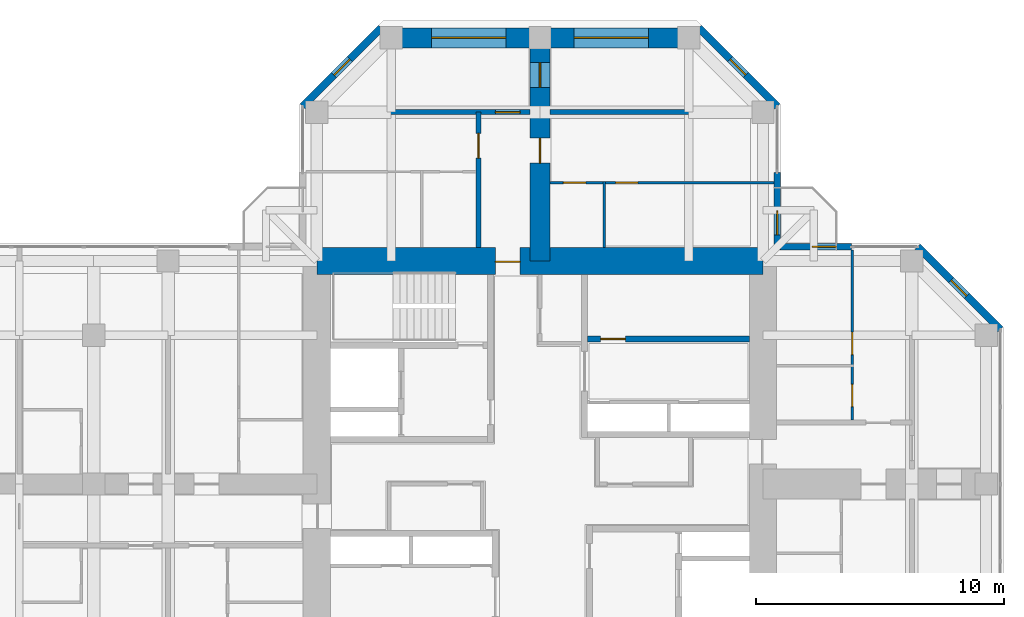
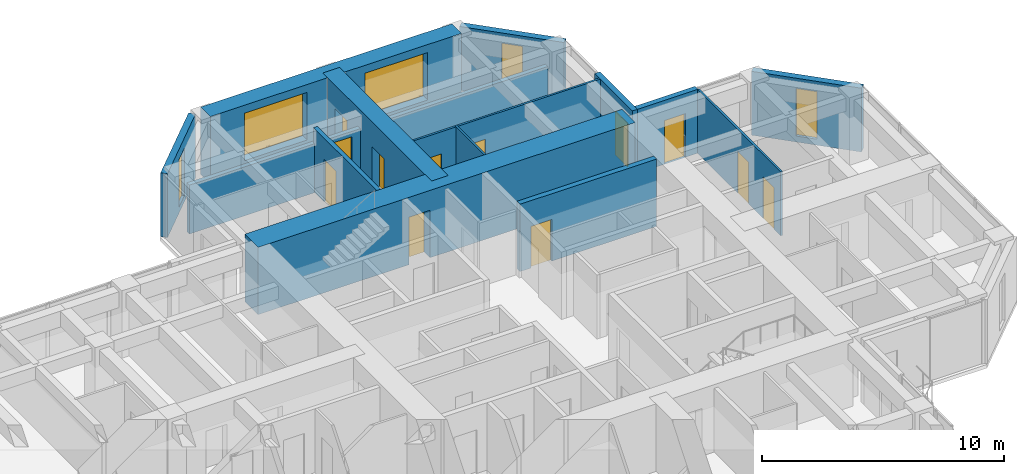
# One storey, part 12 of 14: 15 walls, 12 doors, 5 windows, 17 openings.
"""IFC4 building model written with IfcOpenShell, lengths in metres."""

from ifc_helpers import new_model, si_unit, direction, frame, frame_2d, origin, place, context, subcontext, project, spatial, rectangle, hollow_rectangle, extrude, material, layer, layer_set, constituent, constituent_set, type_object, element, fill, save


model = new_model("IFC4")

# Units and contexts
model_context = context("Model", 3, precision=1e-05, world=origin(), true_north=direction((0.0, 1.0)))
body_context = subcontext(model_context, "Body", "Model", "MODEL_VIEW")
ifc_project = project(units=[si_unit("LENGTHUNIT", "METRE"), si_unit("AREAUNIT", "SQUARE_METRE"), si_unit("VOLUMEUNIT", "CUBIC_METRE"), si_unit("PLANEANGLEUNIT", "RADIAN"), si_unit("MASSUNIT", "GRAM", prefix="KILO")], contexts=[model_context])

# Site, building, storey
site_placement = place(None, origin())
site = spatial("IfcSite", under=ifc_project, at=site_placement, CompositionType="ELEMENT")
building_placement = place(site_placement, origin())
building = spatial("IfcBuilding", under=site, at=building_placement, Name="Torre Cruceta", CompositionType="ELEMENT")
storey_placement = place(building_placement, frame((0.0, 0.0, 186.5)))
storey = spatial("IfcBuildingStorey", under=building, at=storey_placement, Name="L46", CompositionType="ELEMENT", Elevation=186.5)

# Wall
ifc_material_1 = material(Name="Water-resistant plasterboard on steel studs", Category="steel")
ifc_layer_1 = layer(ifc_material_1, 0.10009765625)
ifc_layer_set_1 = layer_set([ifc_layer_1], Name="Water-resistant plasterboard on steel studs")
wall_type_1 = type_object("IfcWallType", Name="BATHROOM WALL 100", PredefinedType="PARTITIONING", material=ifc_layer_set_1)
wall_1_placement = place(storey_placement, frame((2.60009765625, 9.550048828125, 0.0), z_axis=(0.0, 0.0, 1.0), x_axis=(0.0, 1.0, 0.0)))
element("IfcWall", 1, at=wall_1_placement, inside=storey, type_object=wall_type_1, Name="PT4 L46-N-U1RBB", PredefinedType="PARTITIONING", context=body_context, shape_type="SweptSolid", body=[
    extrude(rectangle(XDim=2.64990234375, YDim=0.10009765625, at=frame_2d((1.324951171875, 0.0))), origin(), (0.0, 0.0, 1.0), 3.219970703125),
])

# Wall, openings, doors
wall_2_placement = place(storey_placement, frame((9.445068359375, 12.14990234375, 0.0), z_axis=(0.0, 0.0, 1.0), x_axis=(-1.0, 0.0, 0.0)))
wall_2 = element("IfcWall", 2, at=wall_2_placement, inside=storey, type_object=wall_type_1, Name="PT4 L46-N-U1RBS", PredefinedType="PARTITIONING", context=body_context, shape_type="SweptSolid", body=[
    extrude(rectangle(XDim=9.045166015625, YDim=0.10009765625, at=frame_2d((4.5224609375, 0.0))), origin(), (0.0, 0.0, 1.0), 3.219970703125),
])
opening_1_placement = place(wall_2_placement, frame((5.4951171875, 0.0, 0.0)))
opening_1 = element("IfcOpeningElement", 3, at=opening_1_placement, cuts=wall_2, Name="Opening D7", PredefinedType="OPENING", context=body_context, shape_type="SweptSolid", body=[
    extrude(rectangle(XDim=0.89990234375, YDim=2.10009765625, at=frame_2d((0.449951171875, 1.050048828125))), frame((0.0, 0.06005859375, 0.0), z_axis=(0.0, -1.0, 0.0), x_axis=(1.0, 0.0, 0.0)), (0.0, 0.0, 1.0), 0.1201171875),
])
opening_2_placement = place(wall_2_placement, frame((7.594970703125, 0.0, 0.0)))
opening_2 = element("IfcOpeningElement", 4, at=opening_2_placement, cuts=wall_2, Name="Opening D7", PredefinedType="OPENING", context=body_context, shape_type="SweptSolid", body=[
    extrude(rectangle(XDim=0.89990234375, YDim=2.10009765625, at=frame_2d((0.449951171875, 1.050048828125))), frame((0.0, 0.06005859375, 0.0), z_axis=(0.0, -1.0, 0.0), x_axis=(1.0, 0.0, 0.0)), (0.0, 0.0, 1.0), 0.1201171875),
])
ifc_material_2 = material(Name="Timber door", Category="wood")
door_type_1 = type_object("IfcDoorType", Name="BATHROOM DOOR 900X2100", OperationType="SINGLE_SWING_LEFT", PredefinedType="DOOR", material=ifc_material_2)
door_1_placement = place(opening_1_placement, origin())
door_1 = element("IfcDoor", 5, at=door_1_placement, inside=storey, type_object=door_type_1, Name="D7 L46-N-U1RBS-D1", OperationType="SINGLE_SWING_RIGHT", OverallHeight=2.10009765625, OverallWidth=0.89990234375, PredefinedType="DOOR", context=body_context, shape_type="SweptSolid", body=[
    extrude(rectangle(XDim=0.89990234375, YDim=2.10009765625, at=frame_2d((0.449951171875, 1.050048828125))), frame((0.0, 0.02490234375, 0.0), z_axis=(0.0, -1.0, 0.0), x_axis=(1.0, 0.0, 0.0)), (0.0, 0.0, 1.0), 0.050048828125),
])
fill(opening_1, door_1)
door_2_placement = place(opening_2_placement, origin())
door_2 = element("IfcDoor", 6, at=door_2_placement, inside=storey, type_object=door_type_1, Name="D7 L46-N-U1RBS-D2", OperationType="SINGLE_SWING_RIGHT", OverallHeight=2.10009765625, OverallWidth=0.89990234375, PredefinedType="DOOR", context=body_context, shape_type="SweptSolid", body=[
    extrude(rectangle(XDim=0.89990234375, YDim=2.10009765625, at=frame_2d((0.449951171875, 1.050048828125))), frame((0.0, 0.02490234375, 0.0), z_axis=(0.0, -1.0, 0.0), x_axis=(1.0, 0.0, 0.0)), (0.0, 0.0, 1.0), 0.050048828125),
])
fill(opening_2, door_2)

wall_3_placement = place(storey_placement, frame((12.60009765625, 2.574951171875, 0.0), z_axis=(0.0, 0.0, 1.0), x_axis=(0.0, 1.0, 0.0)))
wall_3 = element("IfcWall", 7, at=wall_3_placement, inside=storey, type_object=wall_type_1, Name="PT4 L46-E-U1LBS", PredefinedType="PARTITIONING", context=body_context, shape_type="SweptSolid", body=[
    extrude(rectangle(XDim=6.8701171875, YDim=0.10009765625, at=frame_2d((3.43505859375, 0.0))), origin(), (0.0, 0.0, 1.0), 3.219970703125),
])
opening_3_placement = place(wall_3_placement, frame((0.550048828125, 0.0, 0.0)))
opening_3 = element("IfcOpeningElement", 8, at=opening_3_placement, cuts=wall_3, Name="Opening D7", PredefinedType="OPENING", context=body_context, shape_type="SweptSolid", body=[
    extrude(rectangle(XDim=0.89990234375, YDim=2.10009765625, at=frame_2d((0.449951171875, 1.050048828125))), frame((0.0, 0.06005859375, 0.0), z_axis=(0.0, -1.0, 0.0), x_axis=(1.0, 0.0, 0.0)), (0.0, 0.0, 1.0), 0.1201171875),
])
opening_4_placement = place(wall_3_placement, frame((2.64990234375, 0.0, 0.0)))
opening_4 = element("IfcOpeningElement", 9, at=opening_4_placement, cuts=wall_3, Name="Opening D7", PredefinedType="OPENING", context=body_context, shape_type="SweptSolid", body=[
    extrude(rectangle(XDim=0.89990234375, YDim=2.10009765625, at=frame_2d((0.449951171875, 1.050048828125))), frame((0.0, 0.06005859375, 0.0), z_axis=(0.0, -1.0, 0.0), x_axis=(1.0, 0.0, 0.0)), (0.0, 0.0, 1.0), 0.1201171875),
])
door_3_placement = place(opening_3_placement, origin())
door_3 = element("IfcDoor", 10, at=door_3_placement, inside=storey, type_object=door_type_1, Name="D7 L46-E-U1LBS-D1", OperationType="SINGLE_SWING_LEFT", OverallHeight=2.10009765625, OverallWidth=0.89990234375, PredefinedType="DOOR", context=body_context, shape_type="SweptSolid", body=[
    extrude(rectangle(XDim=0.89990234375, YDim=2.10009765625, at=frame_2d((0.449951171875, 1.050048828125))), frame((0.0, 0.02490234375, 0.0), z_axis=(0.0, -1.0, 0.0), x_axis=(1.0, 0.0, 0.0)), (0.0, 0.0, 1.0), 0.050048828125),
])
fill(opening_3, door_3)
door_4_placement = place(opening_4_placement, origin())
door_4 = element("IfcDoor", 11, at=door_4_placement, inside=storey, type_object=door_type_1, Name="D7 L46-E-U1LBS-D2", OperationType="SINGLE_SWING_LEFT", OverallHeight=2.10009765625, OverallWidth=0.89990234375, PredefinedType="DOOR", context=body_context, shape_type="SweptSolid", body=[
    extrude(rectangle(XDim=0.89990234375, YDim=2.10009765625, at=frame_2d((0.449951171875, 1.050048828125))), frame((0.0, 0.02490234375, 0.0), z_axis=(0.0, -1.0, 0.0), x_axis=(1.0, 0.0, 0.0)), (0.0, 0.0, 1.0), 0.050048828125),
])
fill(opening_4, door_4)

# Wall, opening, door
ifc_material_3 = material(Name="Concrete G60 (fck 60 MPa)", Category="concrete")
ifc_layer_2 = layer(ifc_material_3, 0.25)
ifc_layer_set_2 = layer_set([ifc_layer_2], Name="Concrete G60 (fck 60 MPa)")
wall_type_2 = type_object("IfcWallType", Name="CORE INNER WALL 250 G60", PredefinedType="SHEAR", material=ifc_layer_set_2)
wall_4_placement = place(storey_placement, frame((1.925048828125, 5.85009765625, 0.0), z_axis=(0.0, 0.0, 1.0), x_axis=(1.0, 0.0, 0.0)))
wall_4 = element("IfcWall", 12, at=wall_4_placement, inside=storey, type_object=wall_type_2, Name="CW4 L46 NE-LV", PredefinedType="SHEAR", context=body_context, shape_type="SweptSolid", body=[
    extrude(rectangle(XDim=6.52490234375, YDim=0.25, at=frame_2d((3.262451171875, 0.0))), origin(), (0.0, 0.0, 1.0), 3.39990234375),
])
opening_5_placement = place(wall_4_placement, frame((0.520751953125, 0.0, 0.0)))
opening_5 = element("IfcOpeningElement", 13, at=opening_5_placement, cuts=wall_4, Name="Opening D3", PredefinedType="OPENING", context=body_context, shape_type="SweptSolid", body=[
    extrude(rectangle(XDim=1.0, YDim=2.10009765625, at=frame_2d((0.5, 1.050048828125))), frame((0.0, 0.135009765625, 0.0), z_axis=(0.0, -1.0, 0.0), x_axis=(1.0, 0.0, 0.0)), (0.0, 0.0, 1.0), 0.27001953125),
])
ifc_material_4 = material(Name="Steel DX51D", Category="steel")
ifc_constituent_1 = constituent(ifc_material_4, Name="Leaf and frame")
ifc_material_5 = material(Name="Polyester powder coating", Category="paint")
ifc_constituent_2 = constituent(ifc_material_5, Name="Finish")
ifc_constituent_set_1 = constituent_set(constituents=[ifc_constituent_1, ifc_constituent_2], Name="Steel fire door")
door_type_2 = type_object("IfcDoorType", Name="FIRE DOOR 1000X2100", OperationType="SINGLE_SWING_LEFT", PredefinedType="DOOR", material=ifc_constituent_set_1)
door_5_placement = place(opening_5_placement, origin())
door_5 = element("IfcDoor", 14, at=door_5_placement, inside=storey, type_object=door_type_2, Name="D3 L46 NE-HR1", OperationType="SINGLE_SWING_LEFT", OverallHeight=2.10009765625, OverallWidth=1.0, PredefinedType="DOOR", context=body_context, shape_type="SweptSolid", body=[
    extrude(rectangle(XDim=1.0, YDim=2.10009765625, at=frame_2d((0.5, 1.050048828125))), frame((0.0, 0.02490234375, 0.0), z_axis=(0.0, -1.0, 0.0), x_axis=(1.0, 0.0, 0.0)), (0.0, 0.0, 1.0), 0.050048828125),
])
fill(opening_5, door_5)

ifc_material_6 = material(Name="Concrete G60 (fck 60 MPa)", Category="concrete")
ifc_layer_3 = layer(ifc_material_6, 1.10009765625)
ifc_layer_set_3 = layer_set([ifc_layer_3], Name="Concrete G60 (fck 60 MPa)")
wall_type_3 = type_object("IfcWallType", Name="CORE WALL 1100 G60", PredefinedType="SHEAR", material=ifc_layer_set_3)
wall_5_placement = place(storey_placement, frame((9.0, 9.0, 0.0), z_axis=(0.0, 0.0, 1.0), x_axis=(-1.0, 0.0, 0.0)))
wall_5 = element("IfcWall", 15, at=wall_5_placement, inside=storey, type_object=wall_type_3, Name="CW2 L46 CW-N", PredefinedType="SHEAR", context=body_context, shape_type="SweptSolid", body=[
    extrude(rectangle(XDim=18.0, YDim=1.10009765625, at=frame_2d((9.0, 0.0))), origin(), (0.0, 0.0, 1.0), 3.39990234375),
])
opening_6_placement = place(wall_5_placement, frame((9.800048828125, 0.0, 0.0)))
opening_6 = element("IfcOpeningElement", 16, at=opening_6_placement, cuts=wall_5, Name="Opening D4", PredefinedType="OPENING", context=body_context, shape_type="SweptSolid", body=[
    extrude(rectangle(XDim=1.0, YDim=2.39990234375, at=frame_2d((0.5, 1.199951171875))), frame((0.0, 0.56005859375, 0.0), z_axis=(0.0, -1.0, 0.0), x_axis=(1.0, 0.0, 0.0)), (0.0, 0.0, 1.0), 1.1201171875),
])
ifc_material_7 = material(Name="Steel DX51D", Category="steel")
ifc_constituent_3 = constituent(ifc_material_7, Name="Leaf and frame")
ifc_material_8 = material(Name="Polyester powder coating", Category="paint")
ifc_constituent_4 = constituent(ifc_material_8, Name="Finish")
ifc_constituent_set_2 = constituent_set(constituents=[ifc_constituent_3, ifc_constituent_4], Name="Steel fire door")
door_type_3 = type_object("IfcDoorType", Name="CORE ARM DOOR 1000X2400", OperationType="SINGLE_SWING_RIGHT", PredefinedType="DOOR", material=ifc_constituent_set_2)
door_6_placement = place(opening_6_placement, origin())
door_6 = element("IfcDoor", 17, at=door_6_placement, inside=storey, type_object=door_type_3, Name="D4 L46 CW-N", OperationType="SINGLE_SWING_RIGHT", OverallHeight=2.39990234375, OverallWidth=1.0, PredefinedType="DOOR", context=body_context, shape_type="SweptSolid", body=[
    extrude(rectangle(XDim=1.0, YDim=2.39990234375, at=frame_2d((0.5, 1.199951171875))), frame((0.0, 0.05517578125, 0.0), z_axis=(0.0, -1.0, 0.0), x_axis=(1.0, 0.0, 0.0)), (0.0, 0.0, 1.0), 0.050048828125),
])
fill(opening_6, door_6)

ifc_material_9 = material(Name="Concrete G25 (fck 25 MPa)", Category="concrete")
ifc_layer_4 = layer(ifc_material_9, 0.199951171875)
ifc_layer_set_4 = layer_set([ifc_layer_4], Name="Concrete G25 (fck 25 MPa)")
wall_type_4 = type_object("IfcWallType", Name="CORRIDOR WALL 200", PredefinedType="SOLIDWALL", material=ifc_layer_set_4)
wall_6_placement = place(storey_placement, frame((-2.47509765625, 9.550048828125, 0.0), z_axis=(0.0, 0.0, 1.0), x_axis=(0.0, 1.0, 0.0)))
wall_6 = element("IfcWall", 18, at=wall_6_placement, inside=storey, type_object=wall_type_4, Name="PT3 L46-N-CL", PredefinedType="SOLIDWALL", context=body_context, shape_type="SweptSolid", body=[
    extrude(rectangle(XDim=5.449951171875, YDim=0.199951171875, at=frame_2d((2.72509765625, 0.0))), origin(), (0.0, 0.0, 1.0), 3.219970703125),
])
opening_7_placement = place(wall_6_placement, frame((3.60009765625, 0.0, 0.0)))
opening_7 = element("IfcOpeningElement", 19, at=opening_7_placement, cuts=wall_6, Name="Opening D6", PredefinedType="OPENING", context=body_context, shape_type="SweptSolid", body=[
    extrude(rectangle(XDim=1.0, YDim=2.14990234375, at=frame_2d((0.5, 1.074951171875))), frame((0.0, 0.10986328125, 0.0), z_axis=(0.0, -1.0, 0.0), x_axis=(1.0, 0.0, 0.0)), (0.0, 0.0, 1.0), 0.219970703125),
])
ifc_material_10 = material(Name="Timber fire door", Category="wood")
door_type_4 = type_object("IfcDoorType", Name="UNIT ENTRANCE DOOR 1000X2150", OperationType="SINGLE_SWING_LEFT", PredefinedType="DOOR", material=ifc_material_10)
door_7_placement = place(opening_7_placement, origin())
door_7 = element("IfcDoor", 20, at=door_7_placement, inside=storey, type_object=door_type_4, Name="D6 L46-N-CL-D1", OperationType="SINGLE_SWING_LEFT", OverallHeight=2.14990234375, OverallWidth=1.0, PredefinedType="DOOR", context=body_context, shape_type="SweptSolid", body=[
    extrude(rectangle(XDim=1.0, YDim=2.14990234375, at=frame_2d((0.5, 1.074951171875))), frame((0.0, 0.02490234375, 0.0), z_axis=(0.0, -1.0, 0.0), x_axis=(1.0, 0.0, 0.0)), (0.0, 0.0, 1.0), 0.050048828125),
])
fill(opening_7, door_7)

# Wall, opening, window
ifc_material_11 = material(Name="Concrete G30 (fck 30 MPa)", Category="concrete")
ifc_layer_5 = layer(ifc_material_11, 0.300048828125)
ifc_layer_set_5 = layer_set([ifc_layer_5], Name="Concrete G30 (fck 30 MPa)")
wall_type_5 = type_object("IfcWallType", Name="EXPOSED CONCRETE FACADE WALL 300", PredefinedType="SOLIDWALL", material=ifc_layer_set_5)
wall_7_placement = place(storey_placement, frame((18.570068359375, 6.236083984375, 0.0), z_axis=(0.0, 0.0, 1.0), x_axis=(-0.707106781187, 0.707106781187, 0.0)))
wall_7 = element("IfcWall", 21, at=wall_7_placement, inside=storey, type_object=wall_type_5, Name="EW1 facade wall L46 E chamfer 03", PredefinedType="SOLIDWALL", context=body_context, shape_type="SweptSolid", body=[
    extrude(rectangle(XDim=4.715087890625, YDim=0.300048828125, at=frame_2d((2.357421875, 0.0))), origin(), (0.0, 0.0, 1.0), 3.219970703125),
])
opening_8_placement = place(wall_7_placement, frame((1.907470703125, 0.0, 0.300048828125)))
opening_8 = element("IfcOpeningElement", 22, at=opening_8_placement, cuts=wall_7, Name="Opening WN5", PredefinedType="OPENING", context=body_context, shape_type="SweptSolid", body=[
    extrude(rectangle(XDim=0.89990234375, YDim=2.39990234375, at=frame_2d((0.449951171875, 1.199951171875))), frame((0.0, 0.159912109375, 0.0), z_axis=(0.0, -1.0, 0.0), x_axis=(1.0, 0.0, 0.0)), (0.0, 0.0, 1.0), 0.320068359375),
])
ifc_material_12 = material(Name="Aluminium window frame", Category="aluminium")
ifc_constituent_5 = constituent(ifc_material_12, Name="Frame")
ifc_material_13 = material(Name="Laminated insulating glass unit, low-iron clear", Category="glass")
ifc_constituent_6 = constituent(ifc_material_13, Name="Glazing")
ifc_constituent_set_3 = constituent_set(constituents=[ifc_constituent_5, ifc_constituent_6], Name="Aluminium window")
window_type_1 = type_object("IfcWindowType", Name="CHAMFER SLOT WINDOW 900X2400", PartitioningType="SINGLE_PANEL", PredefinedType="WINDOW", material=ifc_constituent_set_3)
window_1_placement = place(opening_8_placement, origin())
window_1 = element("IfcWindow", 23, at=window_1_placement, inside=storey, type_object=window_type_1, Name="WN5 L46 E 1", OverallHeight=2.39990234375, OverallWidth=0.89990234375, PartitioningType="SINGLE_PANEL", PredefinedType="WINDOW", context=body_context, shape_type="SweptSolid", body=[
    extrude(hollow_rectangle(XDim=0.89990234375, YDim=2.39990234375, WallThickness=0.06005859375, at=frame_2d((0.449951171875, 1.199951171875))), frame((0.0, 0.030029296875, 0.0), z_axis=(0.0, -1.0, 0.0), x_axis=(1.0, 0.0, 0.0)), (0.0, 0.0, 1.0), 0.06005859375),
    extrude(rectangle(XDim=0.77880859375, YDim=2.27880859375, at=frame_2d((0.449951171875, 1.199951171875))), frame((0.0, 0.030029296875, 0.0), z_axis=(0.0, -1.0, 0.0), x_axis=(1.0, 0.0, 0.0)), (0.0, 0.0, 1.0), 0.06005859375),
])
fill(opening_8, window_1)

wall_8_placement = place(storey_placement, frame((9.570068359375, 15.236083984375, 0.0), z_axis=(0.0, 0.0, 1.0), x_axis=(-0.707134062067, 0.707079499254, 0.0)))
wall_8 = element("IfcWall", 24, at=wall_8_placement, inside=storey, type_object=wall_type_5, Name="EW1 facade wall L46 N chamfer 06", PredefinedType="SOLIDWALL", context=body_context, shape_type="SweptSolid", body=[
    extrude(rectangle(XDim=4.474609375, YDim=0.300048828125, at=frame_2d((2.2373046875, 0.0))), origin(), (0.0, 0.0, 1.0), 3.219970703125),
])
opening_9_placement = place(wall_8_placement, frame((1.787109375, 0.0, 0.300048828125)))
opening_9 = element("IfcOpeningElement", 25, at=opening_9_placement, cuts=wall_8, Name="Opening WN5", PredefinedType="OPENING", context=body_context, shape_type="SweptSolid", body=[
    extrude(rectangle(XDim=0.89990234375, YDim=2.39990234375, at=frame_2d((0.449951171875, 1.199951171875))), frame((0.0, 0.159912109375, 0.0), z_axis=(0.0, -1.0, 0.0), x_axis=(1.0, 0.0, 0.0)), (0.0, 0.0, 1.0), 0.320068359375),
])
window_2_placement = place(opening_9_placement, origin())
window_2 = element("IfcWindow", 26, at=window_2_placement, inside=storey, type_object=window_type_1, Name="WN5 L46 N 1", OverallHeight=2.39990234375, OverallWidth=0.89990234375, PartitioningType="SINGLE_PANEL", PredefinedType="WINDOW", context=body_context, shape_type="SweptSolid", body=[
    extrude(hollow_rectangle(XDim=0.89990234375, YDim=2.39990234375, WallThickness=0.06005859375, at=frame_2d((0.449951171875, 1.199951171875))), frame((0.0, 0.030029296875, 0.0), z_axis=(0.0, -1.0, 0.0), x_axis=(1.0, 0.0, 0.0)), (0.0, 0.0, 1.0), 0.06005859375),
    extrude(rectangle(XDim=0.77880859375, YDim=2.27880859375, at=frame_2d((0.449951171875, 1.199951171875))), frame((0.0, 0.030029296875, 0.0), z_axis=(0.0, -1.0, 0.0), x_axis=(1.0, 0.0, 0.0)), (0.0, 0.0, 1.0), 0.06005859375),
])
fill(opening_9, window_2)

wall_9_placement = place(storey_placement, frame((-6.406005859375, 18.39990234375, 0.0), z_axis=(0.0, 0.0, 1.0), x_axis=(-0.707134062067, -0.707079499254, 0.0)))
wall_9 = element("IfcWall", 27, at=wall_9_placement, inside=storey, type_object=wall_type_5, Name="EW1 facade wall L46 N chamfer 08", PredefinedType="SOLIDWALL", context=body_context, shape_type="SweptSolid", body=[
    extrude(rectangle(XDim=4.474609375, YDim=0.300048828125, at=frame_2d((2.2373046875, 0.0))), origin(), (0.0, 0.0, 1.0), 3.219970703125),
])
opening_10_placement = place(wall_9_placement, frame((1.787109375, 0.0, 0.300048828125)))
opening_10 = element("IfcOpeningElement", 28, at=opening_10_placement, cuts=wall_9, Name="Opening WN5", PredefinedType="OPENING", context=body_context, shape_type="SweptSolid", body=[
    extrude(rectangle(XDim=0.89990234375, YDim=2.39990234375, at=frame_2d((0.449951171875, 1.199951171875))), frame((0.0, 0.159912109375, 0.0), z_axis=(0.0, -1.0, 0.0), x_axis=(1.0, 0.0, 0.0)), (0.0, 0.0, 1.0), 0.320068359375),
])
window_3_placement = place(opening_10_placement, origin())
window_3 = element("IfcWindow", 29, at=window_3_placement, inside=storey, type_object=window_type_1, Name="WN5 L46 N 1", OverallHeight=2.39990234375, OverallWidth=0.89990234375, PartitioningType="SINGLE_PANEL", PredefinedType="WINDOW", context=body_context, shape_type="SweptSolid", body=[
    extrude(hollow_rectangle(XDim=0.89990234375, YDim=2.39990234375, WallThickness=0.06005859375, at=frame_2d((0.449951171875, 1.199951171875))), frame((0.0, 0.030029296875, 0.0), z_axis=(0.0, -1.0, 0.0), x_axis=(1.0, 0.0, 0.0)), (0.0, 0.0, 1.0), 0.06005859375),
    extrude(rectangle(XDim=0.77880859375, YDim=2.27880859375, at=frame_2d((0.449951171875, 1.199951171875))), frame((0.0, 0.030029296875, 0.0), z_axis=(0.0, -1.0, 0.0), x_axis=(1.0, 0.0, 0.0)), (0.0, 0.0, 1.0), 0.06005859375),
])
fill(opening_10, window_3)

# Wall, openings, windows
ifc_material_14 = material(Name="Concrete G60 (fck 60 MPa)", Category="concrete")
ifc_layer_6 = layer(ifc_material_14, 0.800048828125)
ifc_layer_set_6 = layer_set([ifc_layer_6], Name="Concrete G60 (fck 60 MPa)")
wall_type_6 = type_object("IfcWallType", Name="NOSE WALL 800 G60", PredefinedType="SHEAR", material=ifc_layer_set_6)
wall_10_placement = place(storey_placement, frame((6.0, 18.0, 0.0), z_axis=(0.0, 0.0, 1.0), x_axis=(-1.0, 0.0, 0.0)))
wall_10 = element("IfcWall", 30, at=wall_10_placement, inside=storey, type_object=wall_type_6, Name="NW2 nose wall L46 N", PredefinedType="SHEAR", context=body_context, shape_type="SweptSolid", body=[
    extrude(rectangle(XDim=12.0, YDim=0.800048828125, at=frame_2d((6.0, 0.0))), origin(), (0.0, 0.0, 1.0), 3.39990234375),
])
opening_11_placement = place(wall_10_placement, frame((1.625, 0.0, 0.60009765625)))
opening_11 = element("IfcOpeningElement", 31, at=opening_11_placement, cuts=wall_10, Name="Opening WN6", PredefinedType="OPENING", context=body_context, shape_type="SweptSolid", body=[
    extrude(rectangle(XDim=3.0, YDim=2.39990234375, at=frame_2d((1.5, 1.199951171875))), frame((0.0, 0.409912109375, 0.0), z_axis=(0.0, -1.0, 0.0), x_axis=(1.0, 0.0, 0.0)), (0.0, 0.0, 1.0), 0.820068359375),
])
opening_12_placement = place(wall_10_placement, frame((7.375, 0.0, 0.60009765625)))
opening_12 = element("IfcOpeningElement", 32, at=opening_12_placement, cuts=wall_10, Name="Opening WN6", PredefinedType="OPENING", context=body_context, shape_type="SweptSolid", body=[
    extrude(rectangle(XDim=3.0, YDim=2.39990234375, at=frame_2d((1.5, 1.199951171875))), frame((0.0, 0.409912109375, 0.0), z_axis=(0.0, -1.0, 0.0), x_axis=(1.0, 0.0, 0.0)), (0.0, 0.0, 1.0), 0.820068359375),
])
ifc_material_15 = material(Name="Aluminium window frame", Category="aluminium")
ifc_constituent_7 = constituent(ifc_material_15, Name="Frame")
ifc_material_16 = material(Name="Laminated insulating glass unit, low-iron clear", Category="glass")
ifc_constituent_8 = constituent(ifc_material_16, Name="Glazing")
ifc_constituent_set_4 = constituent_set(constituents=[ifc_constituent_7, ifc_constituent_8], Name="Aluminium window")
window_type_2 = type_object("IfcWindowType", Name="NOSE WALL WINDOW 3000X2400", PartitioningType="SINGLE_PANEL", PredefinedType="WINDOW", material=ifc_constituent_set_4)
window_4_placement = place(opening_11_placement, origin())
window_4 = element("IfcWindow", 33, at=window_4_placement, inside=storey, type_object=window_type_2, Name="WN6 L46 N 1", OverallHeight=2.39990234375, OverallWidth=3.0, PartitioningType="SINGLE_PANEL", PredefinedType="WINDOW", context=body_context, shape_type="SweptSolid", body=[
    extrude(hollow_rectangle(XDim=3.0, YDim=2.39990234375, WallThickness=0.06005859375, at=frame_2d((1.5, 1.199951171875))), frame((0.0, 0.030029296875, 0.0), z_axis=(0.0, -1.0, 0.0), x_axis=(1.0, 0.0, 0.0)), (0.0, 0.0, 1.0), 0.06005859375),
    extrude(rectangle(XDim=2.87890625, YDim=2.27880859375, at=frame_2d((1.5, 1.199951171875))), frame((0.0, 0.030029296875, 0.0), z_axis=(0.0, -1.0, 0.0), x_axis=(1.0, 0.0, 0.0)), (0.0, 0.0, 1.0), 0.06005859375),
])
fill(opening_11, window_4)
window_5_placement = place(opening_12_placement, origin())
window_5 = element("IfcWindow", 34, at=window_5_placement, inside=storey, type_object=window_type_2, Name="WN6 L46 N 2", OverallHeight=2.39990234375, OverallWidth=3.0, PartitioningType="SINGLE_PANEL", PredefinedType="WINDOW", context=body_context, shape_type="SweptSolid", body=[
    extrude(hollow_rectangle(XDim=3.0, YDim=2.39990234375, WallThickness=0.06005859375, at=frame_2d((1.5, 1.199951171875))), frame((0.0, 0.030029296875, 0.0), z_axis=(0.0, -1.0, 0.0), x_axis=(1.0, 0.0, 0.0)), (0.0, 0.0, 1.0), 0.06005859375),
    extrude(rectangle(XDim=2.87890625, YDim=2.27880859375, at=frame_2d((1.5, 1.199951171875))), frame((0.0, 0.030029296875, 0.0), z_axis=(0.0, -1.0, 0.0), x_axis=(1.0, 0.0, 0.0)), (0.0, 0.0, 1.0), 0.06005859375),
])
fill(opening_12, window_5)

# Wall, openings, doors
ifc_material_17 = material(Name="Concrete G60 (fck 60 MPa)", Category="concrete")
ifc_layer_7 = layer(ifc_material_17, 0.800048828125)
ifc_layer_set_7 = layer_set([ifc_layer_7], Name="Concrete G60 (fck 60 MPa)")
wall_type_7 = type_object("IfcWallType", Name="SPINE WALL 800 G60", PredefinedType="SHEAR", material=ifc_layer_set_7)
wall_11_placement = place(storey_placement, frame((0.0, 9.0, 0.0), z_axis=(0.0, 0.0, 1.0), x_axis=(0.0, 1.0, 0.0)))
wall_11 = element("IfcWall", 35, at=wall_11_placement, inside=storey, type_object=wall_type_7, Name="SW4 spine wall L46 N", PredefinedType="SHEAR", context=body_context, shape_type="SweptSolid", body=[
    extrude(rectangle(XDim=9.0, YDim=0.800048828125, at=frame_2d((4.5, 0.0))), origin(), (0.0, 0.0, 1.0), 3.39990234375),
])
opening_13_placement = place(wall_11_placement, frame((3.949951171875, 0.0, 0.0)))
opening_13 = element("IfcOpeningElement", 36, at=opening_13_placement, cuts=wall_11, Name="Opening D6", PredefinedType="OPENING", context=body_context, shape_type="SweptSolid", body=[
    extrude(rectangle(XDim=1.0, YDim=2.14990234375, at=frame_2d((0.5, 1.074951171875))), frame((0.0, 0.409912109375, 0.0), z_axis=(0.0, -1.0, 0.0), x_axis=(1.0, 0.0, 0.0)), (0.0, 0.0, 1.0), 0.820068359375),
])
opening_14_placement = place(wall_11_placement, frame((7.0, 0.0, 0.0)))
opening_14 = element("IfcOpeningElement", 37, at=opening_14_placement, cuts=wall_11, Name="Opening D14", PredefinedType="OPENING", context=body_context, shape_type="SweptSolid", body=[
    extrude(rectangle(XDim=1.0, YDim=2.199951171875, at=frame_2d((0.5, 1.10009765625))), frame((0.0, 0.409912109375, 0.0), z_axis=(0.0, -1.0, 0.0), x_axis=(1.0, 0.0, 0.0)), (0.0, 0.0, 1.0), 0.820068359375),
])
ifc_material_18 = material(Name="Steel DX51D", Category="steel")
ifc_constituent_9 = constituent(ifc_material_18, Name="Leaf and frame")
ifc_material_19 = material(Name="Polyester powder coating", Category="paint")
ifc_constituent_10 = constituent(ifc_material_19, Name="Finish")
ifc_material_20 = material(Name="Fire-resisting glass", Category="glass")
ifc_constituent_11 = constituent(ifc_material_20, Name="Vision panel")
ifc_constituent_set_5 = constituent_set(constituents=[ifc_constituent_9, ifc_constituent_10, ifc_constituent_11], Name="Steel fire door with vision panel")
door_type_5 = type_object("IfcDoorType", Name="FIRE DOOR VISION PANEL 1000X2200", OperationType="SINGLE_SWING_RIGHT", PredefinedType="DOOR", material=ifc_constituent_set_5)
door_8_placement = place(opening_14_placement, origin())
door_8 = element("IfcDoor", 38, at=door_8_placement, inside=storey, type_object=door_type_5, Name="D14 L46-N-SP2", OperationType="SINGLE_SWING_RIGHT", OverallHeight=2.199951171875, OverallWidth=1.0, PredefinedType="DOOR", context=body_context, shape_type="SweptSolid", body=[
    extrude(rectangle(XDim=1.0, YDim=2.199951171875, at=frame_2d((0.5, 1.10009765625))), frame((0.0, 0.02490234375, 0.0), z_axis=(0.0, -1.0, 0.0), x_axis=(1.0, 0.0, 0.0)), (0.0, 0.0, 1.0), 0.050048828125),
])
fill(opening_14, door_8)
door_9_placement = place(opening_13_placement, frame((1.0, 0.0, 0.0), z_axis=(0.0, 0.0, 1.0), x_axis=(-1.0, 0.0, 0.0)))
door_9 = element("IfcDoor", 39, at=door_9_placement, inside=storey, type_object=door_type_4, Name="D6 L46-N-SP1", OperationType="SINGLE_SWING_RIGHT", OverallHeight=2.14990234375, OverallWidth=1.0, PredefinedType="DOOR", context=body_context, shape_type="SweptSolid", body=[
    extrude(rectangle(XDim=1.0, YDim=2.14990234375, at=frame_2d((0.5, 1.074951171875))), frame((0.0, 0.025146484375, 0.0), z_axis=(0.0, -1.0, 0.0), x_axis=(1.0, 0.0, 0.0)), (0.0, 0.0, 1.0), 0.050048828125),
])
fill(opening_13, door_9)

# Wall
ifc_material_21 = material(Name="Concrete G25 (fck 25 MPa)", Category="concrete")
ifc_layer_8 = layer(ifc_material_21, 0.199951171875)
ifc_layer_set_8 = layer_set([ifc_layer_8], Name="Concrete G25 (fck 25 MPa)")
wall_type_8 = type_object("IfcWallType", Name="UNIT SEPARATING WALL 200", PredefinedType="SOLIDWALL", material=ifc_layer_set_8)
wall_12_placement = place(storey_placement, frame((8.550048828125, 15.0, 0.0), z_axis=(0.0, 0.0, 1.0), x_axis=(-1.0, 0.0, 0.0)))
element("IfcWall", 40, at=wall_12_placement, inside=storey, type_object=wall_type_8, Name="PT2 L46-N-ENDa", PredefinedType="SOLIDWALL", context=body_context, shape_type="SweptSolid", body=[
    extrude(rectangle(XDim=8.150146484375, YDim=0.199951171875, at=frame_2d((4.0751953125, 0.0))), origin(), (0.0, 0.0, 1.0), 2.469970703125),
])

# Wall, opening, door
wall_13_placement = place(storey_placement, frame((-0.39990234375, 15.0, 0.0), z_axis=(0.0, 0.0, 1.0), x_axis=(-1.0, 0.0, 0.0)))
wall_13 = element("IfcWall", 41, at=wall_13_placement, inside=storey, type_object=wall_type_8, Name="PT2 L46-N-ENDb", PredefinedType="SOLIDWALL", context=body_context, shape_type="SweptSolid", body=[
    extrude(rectangle(XDim=8.150146484375, YDim=0.199951171875, at=frame_2d((4.0751953125, 0.0))), origin(), (0.0, 0.0, 1.0), 2.469970703125),
])
opening_15_placement = place(wall_13_placement, frame((0.39990234375, 0.0, 0.0)))
opening_15 = element("IfcOpeningElement", 42, at=opening_15_placement, cuts=wall_13, Name="Opening D14", PredefinedType="OPENING", context=body_context, shape_type="SweptSolid", body=[
    extrude(rectangle(XDim=1.0, YDim=2.199951171875, at=frame_2d((0.5, 1.10009765625))), frame((0.0, 0.10986328125, 0.0), z_axis=(0.0, -1.0, 0.0), x_axis=(1.0, 0.0, 0.0)), (0.0, 0.0, 1.0), 0.219970703125),
])
door_10_placement = place(opening_15_placement, frame((1.0, 0.0, 0.0), z_axis=(0.0, 0.0, 1.0), x_axis=(-1.0, 0.0, 0.0)))
door_10 = element("IfcDoor", 43, at=door_10_placement, inside=storey, type_object=door_type_5, Name="D14 L46-N-ENDb-D1", OperationType="SINGLE_SWING_RIGHT", OverallHeight=2.199951171875, OverallWidth=1.0, PredefinedType="DOOR", context=body_context, shape_type="SweptSolid", body=[
    extrude(rectangle(XDim=1.0, YDim=2.199951171875, at=frame_2d((0.5, 1.10009765625))), frame((0.0, 0.025146484375, 0.0), z_axis=(0.0, -1.0, 0.0), x_axis=(1.0, 0.0, 0.0)), (0.0, 0.0, 1.0), 0.050048828125),
])
fill(opening_15, door_10)

ifc_material_22 = material(Name="Concrete G30 (fck 30 MPa)", Category="concrete")
ifc_layer_9 = layer(ifc_material_22, 0.25)
ifc_layer_set_9 = layer_set([ifc_layer_9], Name="Concrete G30 (fck 30 MPa)")
wall_type_9 = type_object("IfcWallType", Name="WINTER GARDEN WALL 250", PredefinedType="SOLIDWALL", material=ifc_layer_set_9)
wall_14_placement = place(storey_placement, frame((12.570068359375, 9.570068359375, 0.0), z_axis=(0.0, 0.0, 1.0), x_axis=(-1.0, 0.0, 0.0)))
wall_14 = element("IfcWall", 44, at=wall_14_placement, inside=storey, type_object=wall_type_9, Name="EW2 winter garden wall L46 04", PredefinedType="SOLIDWALL", context=body_context, shape_type="SweptSolid", body=[
    extrude(rectangle(XDim=2.875, YDim=0.25, at=frame_2d((1.4375, 0.0))), origin(), (0.0, 0.0, 1.0), 3.219970703125),
])
opening_16_placement = place(wall_14_placement, frame((0.60009765625, 0.0, 0.0)))
opening_16 = element("IfcOpeningElement", 45, at=opening_16_placement, cuts=wall_14, Name="Opening D10", PredefinedType="OPENING", context=body_context, shape_type="SweptSolid", body=[
    extrude(rectangle(XDim=1.0, YDim=2.199951171875, at=frame_2d((0.5, 1.10009765625))), frame((0.0, 0.135009765625, 0.0), z_axis=(0.0, -1.0, 0.0), x_axis=(1.0, 0.0, 0.0)), (0.0, 0.0, 1.0), 0.27001953125),
])
ifc_material_23 = material(Name="Aluminium door frame", Category="aluminium")
ifc_constituent_12 = constituent(ifc_material_23, Name="Frame")
ifc_material_24 = material(Name="Laminated safety glass", Category="glass")
ifc_constituent_13 = constituent(ifc_material_24, Name="Glazing")
ifc_constituent_set_6 = constituent_set(constituents=[ifc_constituent_12, ifc_constituent_13], Name="Aluminium glazed door")
door_type_6 = type_object("IfcDoorType", Name="BALCONY DOOR 1000X2200", OperationType="SINGLE_SWING_RIGHT", PredefinedType="DOOR", material=ifc_constituent_set_6)
door_11_placement = place(opening_16_placement, origin())
door_11 = element("IfcDoor", 46, at=door_11_placement, inside=storey, type_object=door_type_6, Name="D10 balcony door L46 04", OperationType="SINGLE_SWING_LEFT", OverallHeight=2.199951171875, OverallWidth=1.0, PredefinedType="DOOR", context=body_context, shape_type="SweptSolid", body=[
    extrude(hollow_rectangle(XDim=1.0, YDim=2.199951171875, WallThickness=0.06005859375, at=frame_2d((0.5, 1.10009765625))), frame((0.0, 0.02490234375, 0.0), z_axis=(0.0, -1.0, 0.0), x_axis=(1.0, 0.0, 0.0)), (0.0, 0.0, 1.0), 0.050048828125),
    extrude(rectangle(XDim=0.87890625, YDim=2.078857421875, at=frame_2d((0.5, 1.10009765625))), frame((0.0, 0.02490234375, 0.0), z_axis=(0.0, -1.0, 0.0), x_axis=(1.0, 0.0, 0.0)), (0.0, 0.0, 1.0), 0.050048828125),
])
fill(opening_16, door_11)

wall_15_placement = place(storey_placement, frame((9.570068359375, 9.445068359375, 0.0), z_axis=(0.0, 0.0, 1.0), x_axis=(0.0, 1.0, 0.0)))
wall_15 = element("IfcWall", 47, at=wall_15_placement, inside=storey, type_object=wall_type_9, Name="EW2 winter garden wall L46 05", PredefinedType="SOLIDWALL", context=body_context, shape_type="SweptSolid", body=[
    extrude(rectangle(XDim=3.125, YDim=0.25, at=frame_2d((1.5625, 0.0))), origin(), (0.0, 0.0, 1.0), 3.219970703125),
])
opening_17_placement = place(wall_15_placement, frame((0.60009765625, 0.0, 0.0)))
opening_17 = element("IfcOpeningElement", 48, at=opening_17_placement, cuts=wall_15, Name="Opening D10", PredefinedType="OPENING", context=body_context, shape_type="SweptSolid", body=[
    extrude(rectangle(XDim=1.0, YDim=2.199951171875, at=frame_2d((0.5, 1.10009765625))), frame((0.0, 0.135009765625, 0.0), z_axis=(0.0, -1.0, 0.0), x_axis=(1.0, 0.0, 0.0)), (0.0, 0.0, 1.0), 0.27001953125),
])
door_12_placement = place(opening_17_placement, origin())
door_12 = element("IfcDoor", 49, at=door_12_placement, inside=storey, type_object=door_type_6, Name="D10 balcony door L46 05", OperationType="SINGLE_SWING_LEFT", OverallHeight=2.199951171875, OverallWidth=1.0, PredefinedType="DOOR", context=body_context, shape_type="SweptSolid", body=[
    extrude(hollow_rectangle(XDim=1.0, YDim=2.199951171875, WallThickness=0.06005859375, at=frame_2d((0.5, 1.10009765625))), frame((0.0, 0.02490234375, 0.0), z_axis=(0.0, -1.0, 0.0), x_axis=(1.0, 0.0, 0.0)), (0.0, 0.0, 1.0), 0.050048828125),
    extrude(rectangle(XDim=0.87890625, YDim=2.078857421875, at=frame_2d((0.5, 1.10009765625))), frame((0.0, 0.02490234375, 0.0), z_axis=(0.0, -1.0, 0.0), x_axis=(1.0, 0.0, 0.0)), (0.0, 0.0, 1.0), 0.050048828125),
])
fill(opening_17, door_12)

save(model, "model.ifc")
